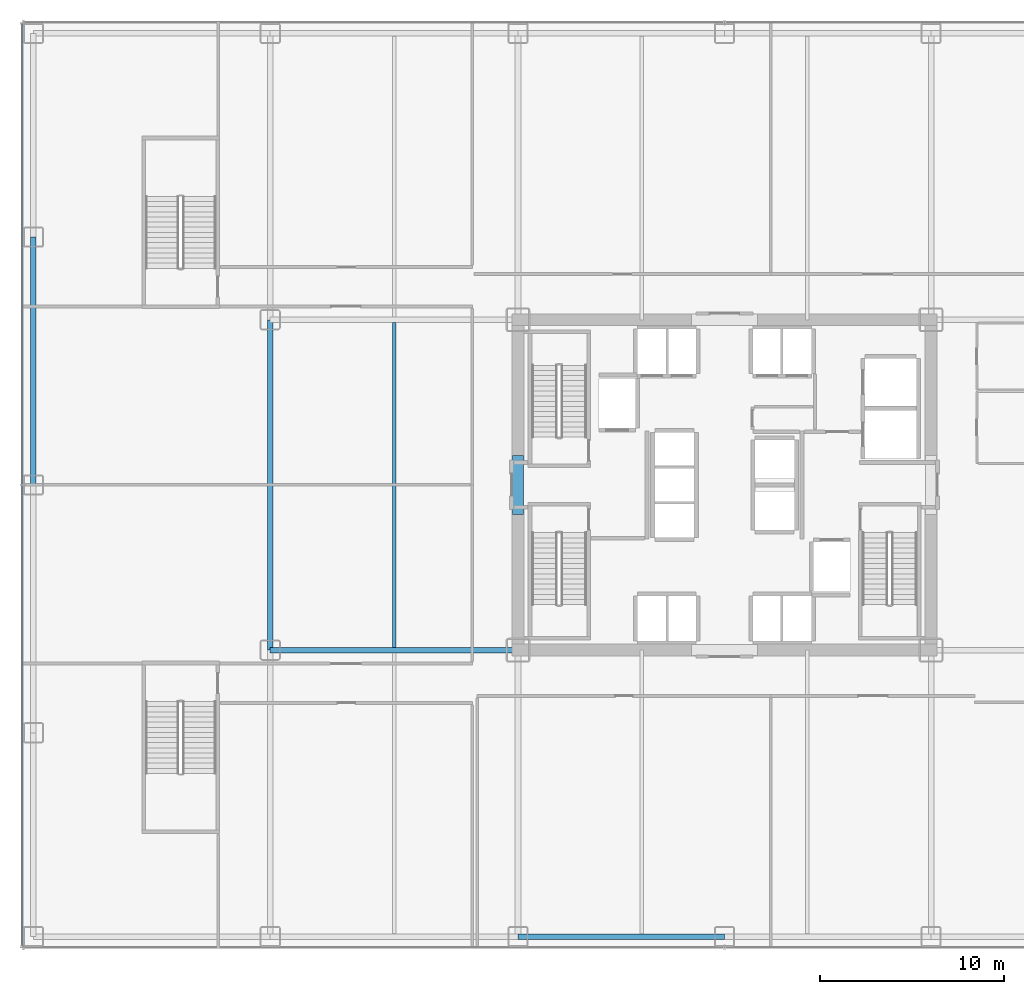
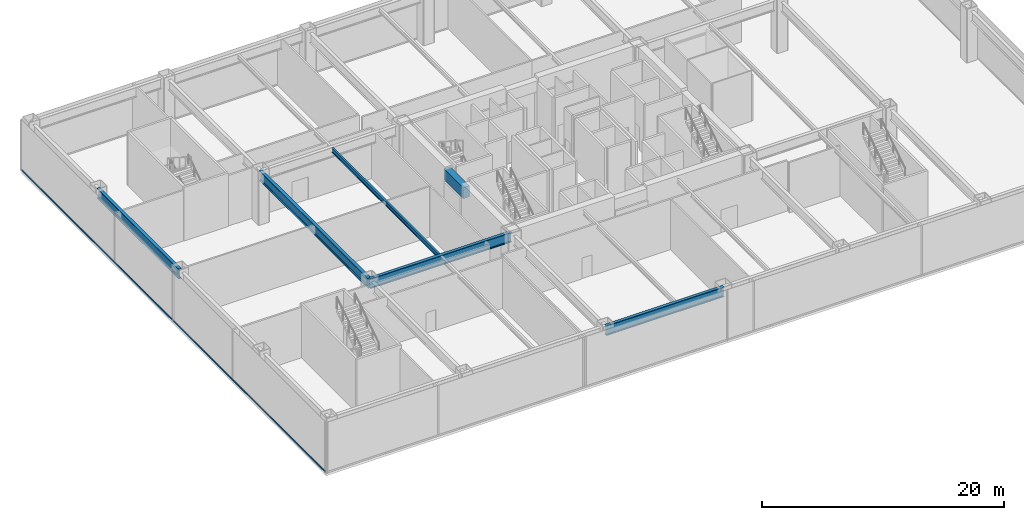
# One storey, part 5 of 24: 6 beams, 1 member, 1 element without a shape of its own.
"""IFC4 building model written with IfcOpenShell, lengths in metres."""

from ifc_helpers import new_model, si_unit, direction, frame, origin, origin_2d, place, context, subcontext, project, spatial, rectangle, hollow_rectangle, i_section, extrude, source, transform, mapped, material, layer, layer_set, material_profile, profile_set, type_object, element, aggregate, save


model = new_model("IFC4")

# Units and contexts
model_context = context("Model", 3, precision=1e-05, world=origin(), true_north=direction((0.0, 1.0)))
body_context = subcontext(model_context, "Body", "Model", "MODEL_VIEW")
ifc_project = project(units=[si_unit("LENGTHUNIT", "METRE"), si_unit("AREAUNIT", "SQUARE_METRE"), si_unit("VOLUMEUNIT", "CUBIC_METRE"), si_unit("PLANEANGLEUNIT", "RADIAN"), si_unit("MASSUNIT", "GRAM", prefix="KILO")], contexts=[model_context])

# Site, building, storey
site_placement = place(None, origin())
site = spatial("IfcSite", under=ifc_project, at=site_placement, CompositionType="ELEMENT")
building_placement = place(site_placement, origin())
building = spatial("IfcBuilding", under=site, at=building_placement, Name="Nefas-Gora Pilgrimage Tower", CompositionType="ELEMENT")
storey_placement = place(building_placement, frame((0.0, 0.0, 16.800048828125)))
storey = spatial("IfcBuildingStorey", under=building, at=storey_placement, Name="L03", CompositionType="ELEMENT", Elevation=16.800048828125)

# Beams
ifc_material_1 = material(Name="Concrete C60/75", Category="concrete")
ifc_material_profile_1 = material_profile(ifc_material_1, rectangle(XDim=0.60009765625, YDim=1.10009765625, at=origin_2d()), Name="RC 600x1100")
ifc_profile_set_1 = profile_set([ifc_material_profile_1], Name="Concrete C60/75")
beam_type_1 = type_object("IfcBeamType", Name="BM-LIN-RC1100", PredefinedType="LINTEL", material=ifc_profile_set_1)
shared_shape_1 = source(origin(), body_context, "Body", "SweptSolid", [
    extrude(rectangle(XDim=0.60009765625, YDim=1.10009765625, at=origin_2d()), origin(), (0.0, 0.0, 1.0), 3.2001953125),
])
beam_1_placement = place(storey_placement, frame((-11.25, -1.60009765625, 4.550048828125), z_axis=(0.0, 1.0, 0.0), x_axis=(-1.0, 0.0, 0.0)))
element("IfcBeam", 1, at=beam_1_placement, inside=storey, type_object=beam_type_1, Name="L03 Core Coupling Lintel Beam W", PredefinedType="LINTEL", context=body_context, shape_type="MappedRepresentation", body=[
    mapped(shared_shape_1, transform((0.0, 0.0, 0.0), x_axis=(1.0, 0.0, 0.0), y_axis=(0.0, 1.0, 0.0), z_axis=(0.0, 0.0, 1.0), scale=1.0)),
])
ifc_material_2 = material(Name="Steel S355", Category="steel")
ifc_material_profile_2 = material_profile(ifc_material_2, i_section(OverallWidth=0.18994140625, OverallDepth=0.449951171875, WebThickness=0.009521484375, FlangeThickness=0.0146484375, FilletRadius=0.02099609375, at=origin_2d()), Name="IPE 450")
ifc_profile_set_2 = profile_set([ifc_material_profile_2], Name="Steel S355")
beam_type_2 = type_object("IfcBeamType", Name="BM-JST-IPE450", PredefinedType="JOIST", material=ifc_profile_set_2)
shared_shape_2 = source(origin(), body_context, "Body", "SweptSolid", [
    extrude(i_section(OverallWidth=0.18994140625, OverallDepth=0.449951171875, WebThickness=0.009521484375, FlangeThickness=0.0146484375, FilletRadius=0.02099609375, at=origin_2d()), origin(), (0.0, 0.0, 1.0), 17.68798828125),
])
beam_2_placement = place(storey_placement, frame((-18.0, -8.843994140625, 4.875), z_axis=(0.0, 1.0, 0.0), x_axis=(-1.0, 0.0, 0.0)))
element("IfcBeam", 2, at=beam_2_placement, inside=storey, type_object=beam_type_2, Name="L03 J-01 beam", PredefinedType="JOIST", context=body_context, shape_type="MappedRepresentation", body=[
    mapped(shared_shape_2, transform((0.0, 0.0, 0.0), x_axis=(1.0, 0.0, 0.0), y_axis=(0.0, 1.0, 0.0), z_axis=(0.0, 0.0, 1.0), scale=1.0)),
])
ifc_material_3 = material(Name="Steel S460", Category="steel")
ifc_material_profile_3 = material_profile(ifc_material_3, i_section(OverallWidth=0.300048828125, OverallDepth=1.0, WebThickness=0.01904296875, FlangeThickness=0.035888671875, FilletRadius=0.030029296875, at=origin_2d()), Name="HEB 1000")
ifc_profile_set_3 = profile_set([ifc_material_profile_3], Name="Steel S460")
beam_type_3 = type_object("IfcBeamType", Name="BM-POD-HEB1000E", PredefinedType="BEAM", material=ifc_profile_set_3)
shared_shape_3 = source(origin(), body_context, "Body", "SweptSolid", [
    extrude(i_section(OverallWidth=0.300048828125, OverallDepth=1.0, WebThickness=0.01904296875, FlangeThickness=0.035888671875, FilletRadius=0.030029296875, at=origin_2d()), origin(), (0.0, 0.0, 1.0), 13.5),
])
beam_3_placement = place(storey_placement, frame((-37.64990234375, 0.0, 4.599853515625), z_axis=(0.0, 1.0, 0.0), x_axis=(-1.0, 0.0, 0.0)))
element("IfcBeam", 3, at=beam_3_placement, inside=storey, type_object=beam_type_3, Name="L03 PG-01E beam", PredefinedType="BEAM", context=body_context, shape_type="MappedRepresentation", body=[
    mapped(shared_shape_3, transform((0.0, 0.0, 0.0), x_axis=(1.0, 0.0, 0.0), y_axis=(0.0, 1.0, 0.0), z_axis=(0.0, 0.0, 1.0), scale=1.0)),
])
shared_shape_4 = source(origin(), body_context, "Body", "SweptSolid", [
    extrude(i_section(OverallWidth=0.300048828125, OverallDepth=1.0, WebThickness=0.01904296875, FlangeThickness=0.035888671875, FilletRadius=0.030029296875, at=origin_2d()), origin(), (0.0, 0.0, 1.0), 11.25),
])
beam_4_placement = place(storey_placement, frame((-11.25, -24.60009765625, 4.599853515625), z_axis=(1.0, 0.0, 0.0), x_axis=(0.0, 1.0, 0.0)))
element("IfcBeam", 4, at=beam_4_placement, inside=storey, type_object=beam_type_3, Name="L03 PG-01E beam", PredefinedType="BEAM", context=body_context, shape_type="MappedRepresentation", body=[
    mapped(shared_shape_4, transform((0.0, 0.0, 0.0), x_axis=(1.0, 0.0, 0.0), y_axis=(0.0, 1.0, 0.0), z_axis=(0.0, 0.0, 1.0), scale=1.0)),
])
ifc_material_profile_4 = material_profile(ifc_material_3, i_section(OverallWidth=0.300048828125, OverallDepth=1.0, WebThickness=0.01904296875, FlangeThickness=0.035888671875, FilletRadius=0.030029296875, at=origin_2d()), Name="HEB 1000")
ifc_profile_set_4 = profile_set([ifc_material_profile_4], Name="Steel S460")
beam_type_4 = type_object("IfcBeamType", Name="BM-POD-HEB1000", PredefinedType="BEAM", material=ifc_profile_set_4)
shared_shape_5 = source(origin(), body_context, "Body", "SweptSolid", [
    extrude(i_section(OverallWidth=0.300048828125, OverallDepth=1.0, WebThickness=0.01904296875, FlangeThickness=0.035888671875, FilletRadius=0.030029296875, at=origin_2d()), origin(), (0.0, 0.0, 1.0), 13.5),
])
beam_5_placement = place(storey_placement, frame((-24.75, -9.0, 4.599853515625), z_axis=(1.0, 0.0, 0.0), x_axis=(0.0, 1.0, 0.0)))
element("IfcBeam", 5, at=beam_5_placement, inside=storey, type_object=beam_type_4, Name="L03 PG-01 beam", PredefinedType="BEAM", context=body_context, shape_type="MappedRepresentation", body=[
    mapped(shared_shape_5, transform((0.0, 0.0, 0.0), x_axis=(1.0, 0.0, 0.0), y_axis=(0.0, 1.0, 0.0), z_axis=(0.0, 0.0, 1.0), scale=1.0)),
])
shared_shape_6 = source(origin(), body_context, "Body", "SweptSolid", [
    extrude(i_section(OverallWidth=0.300048828125, OverallDepth=1.0, WebThickness=0.01904296875, FlangeThickness=0.035888671875, FilletRadius=0.030029296875, at=origin_2d()), origin(), (0.0, 0.0, 1.0), 18.0),
])
beam_6_placement = place(storey_placement, frame((-24.75, -9.0, 4.599853515625), z_axis=(0.0, 1.0, 0.0), x_axis=(-1.0, 0.0, 0.0)))
element("IfcBeam", 6, at=beam_6_placement, inside=storey, type_object=beam_type_4, Name="L03 PG-01 beam", PredefinedType="BEAM", context=body_context, shape_type="MappedRepresentation", body=[
    mapped(shared_shape_6, transform((0.0, 0.0, 0.0), x_axis=(1.0, 0.0, 0.0), y_axis=(0.0, 1.0, 0.0), z_axis=(0.0, 0.0, 1.0), scale=1.0)),
])

# Curtain wall, member
ifc_material_4 = material(Name="Dark ceramic-fritted solar-control aluminium-glass curtain wall", Category="aluminium")
ifc_layer = layer(ifc_material_4, 0.219970703125)
ifc_layer_set = layer_set([ifc_layer], Name="Dark ceramic-fritted solar-control aluminium-glass curtain wall")
curtain_wall_type = type_object("IfcCurtainWallType", Name="CW-SYS-1", PredefinedType="NOTDEFINED", material=ifc_layer_set)
curtain_wall_placement = place(storey_placement, origin())
curtain_wall = element("IfcCurtainWall", 7, at=curtain_wall_placement, inside=storey, type_object=curtain_wall_type, Name="L03 Unitised Curtain Wall CW1", PredefinedType="NOTDEFINED")
ifc_material_5 = material(Name="Anodised architectural aluminium", Category="aluminium")
ifc_material_profile_5 = material_profile(ifc_material_5, hollow_rectangle(XDim=0.080078125, YDim=0.159912109375, WallThickness=0.00439453125, InnerFilletRadius=0.00439453125, OuterFilletRadius=0.009033203125, at=origin_2d()), Name="ALU TRANSOM 80x160")
ifc_profile_set_5 = profile_set([ifc_material_profile_5], Name="Anodised architectural aluminium")
member_type = type_object("IfcMemberType", Name="CWM-TRN-1", PredefinedType="USERDEFINED", material=ifc_profile_set_5)
shared_shape_7 = source(origin(), body_context, "Body", "SweptSolid", [
    extrude(hollow_rectangle(XDim=0.080078125, YDim=0.159912109375, WallThickness=0.00439453125, InnerFilletRadius=0.00439453125, OuterFilletRadius=0.009033203125, at=origin_2d()), origin(), (0.0, 0.0, 1.0), 50.22021484375),
])
member_placement = place(storey_placement, frame((-38.25, 25.110107421875, 0.050048828125), z_axis=(0.0, -1.0, 0.0), x_axis=(1.0, 0.0, 0.0)))
member = element("IfcMember", 8, at=member_placement, type_object=member_type, Name="CW1 Spandrel Transom", ObjectType="TRANSOM", PredefinedType="USERDEFINED", context=body_context, shape_type="MappedRepresentation", body=[
    mapped(shared_shape_7, transform((0.0, 0.0, 0.0), x_axis=(1.0, 0.0, 0.0), y_axis=(0.0, 1.0, 0.0), z_axis=(0.0, 0.0, 1.0), scale=1.0)),
])
aggregate(curtain_wall, [member])

save(model, "model.ifc")
